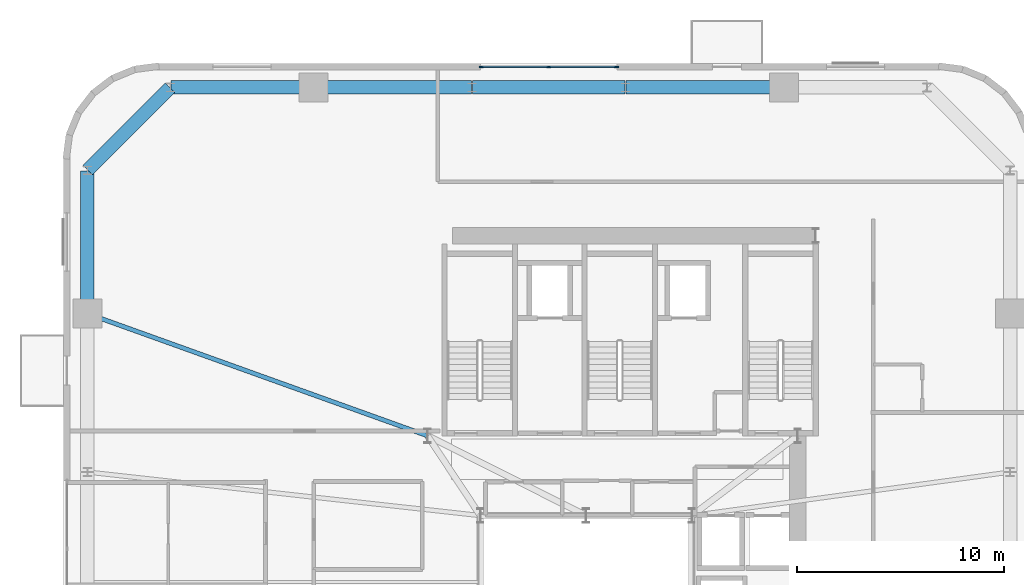
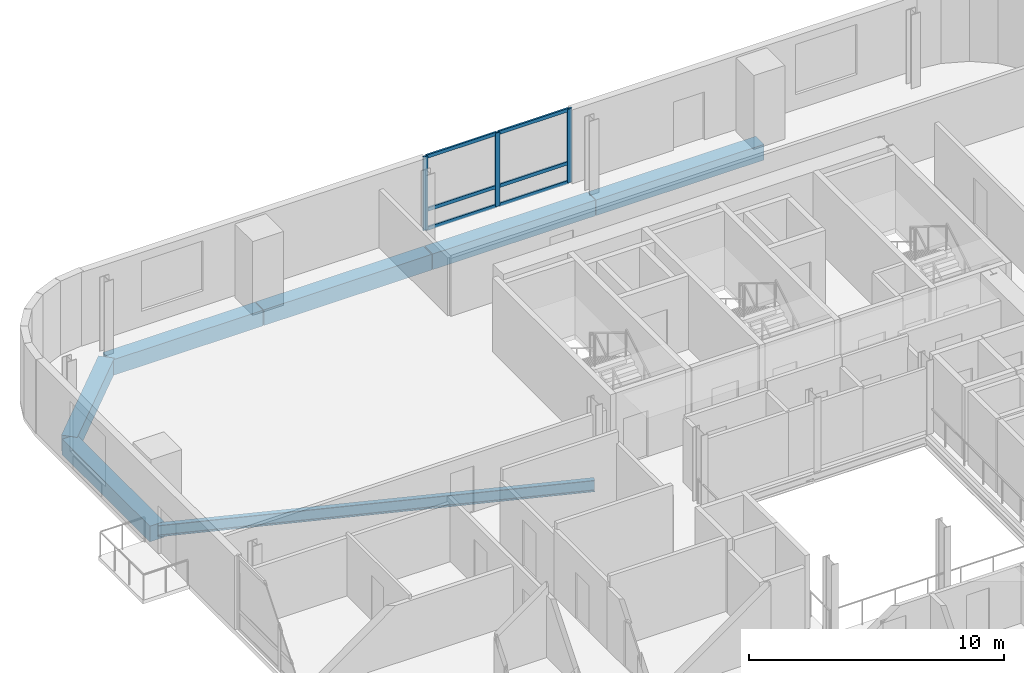
# One storey, part 6 of 17: 9 members, 7 beams, 1 element without a shape of its own.
"""IFC4 building model written with IfcOpenShell, lengths in metres."""

from ifc_helpers import new_model, si_unit, direction, frame, origin, origin_2d, place, context, subcontext, project, spatial, rectangle, i_section, extrude, source, transform, mapped, material, material_profile, profile_set, type_object, element, aggregate, save


model = new_model("IFC4")

# Units and contexts
model_context = context("Model", 3, precision=1e-05, world=origin(), true_north=direction((0.0, 1.0)))
body_context = subcontext(model_context, "Body", "Model", "MODEL_VIEW")
ifc_project = project(units=[si_unit("LENGTHUNIT", "METRE"), si_unit("AREAUNIT", "SQUARE_METRE"), si_unit("VOLUMEUNIT", "CUBIC_METRE"), si_unit("PLANEANGLEUNIT", "RADIAN"), si_unit("MASSUNIT", "GRAM", prefix="KILO")], contexts=[model_context])

# Site, building, storey
site_placement = place(None, origin())
site = spatial("IfcSite", under=ifc_project, at=site_placement, CompositionType="ELEMENT")
building_placement = place(site_placement, origin())
building = spatial("IfcBuilding", under=site, at=building_placement, Name="Vardaveli Station Tower", CompositionType="ELEMENT")
storey_placement = place(building_placement, frame((0.0, 0.0, 218.550048828125)))
storey = spatial("IfcBuildingStorey", under=building, at=storey_placement, Name="L56", CompositionType="ELEMENT", Elevation=218.550048828125)

# Beams
ifc_material_1 = material(Name="Precast concrete C45/55", Category="concrete")
ifc_material_profile_1 = material_profile(ifc_material_1, rectangle(XDim=0.64990234375, YDim=0.75, at=origin_2d()), Name="LPB 650x750")
ifc_profile_set_1 = profile_set([ifc_material_profile_1], Name="Precast concrete C45/55")
beam_type_1 = type_object("IfcBeamType", Name="BM-LPB-750", PredefinedType="BEAM", material=ifc_profile_set_1)
shared_shape_1 = source(origin(), body_context, "Body", "SweptSolid", [
    extrude(rectangle(XDim=0.64990234375, YDim=0.75, at=origin_2d()), origin(), (0.0, 0.0, 1.0), 7.60009765625),
])
for number, where, z_axis, x_axis, name in (
    (1, (45.820068359375, 47.449951171875, -0.594970703125), (-1.0, 0.0, 0.0), (0.0, -1.0, 0.0), "RBM-L56-13"),
    (2, (30.780029296875, 47.449951171875, -0.594970703125), (-1.0, 0.0, 0.0), (0.0, -1.0, 0.0), "RBM-L56-15"),
):
    element("IfcBeam", number, at=place(storey_placement, frame(where, z_axis=z_axis, x_axis=x_axis)), inside=storey, type_object=beam_type_1, Name=name, PredefinedType="BEAM", context=body_context, shape_type="MappedRepresentation", body=[
        mapped(shared_shape_1, transform((0.0, 0.0, 0.0), scale=1.0)),
    ])
shared_shape_2 = source(origin(), body_context, "Body", "SweptSolid", [
    extrude(rectangle(XDim=0.64990234375, YDim=0.75, at=origin_2d()), origin(), (0.0, 0.0, 1.0), 7.35986328125),
])
beam_1_placement = place(storey_placement, frame((38.179931640625, 47.449951171875, -0.594970703125), z_axis=(-1.0, 0.0, 0.0), x_axis=(0.0, -1.0, 0.0)))
element("IfcBeam", 3, at=beam_1_placement, inside=storey, type_object=beam_type_1, Name="RBM-L56-14", PredefinedType="BEAM", context=body_context, shape_type="MappedRepresentation", body=[
    mapped(shared_shape_2, transform((0.0, 0.0, 0.0), scale=1.0)),
])
shared_shape_3 = source(origin(), body_context, "Body", "SweptSolid", [
    extrude(rectangle(XDim=0.64990234375, YDim=0.75, at=origin_2d()), origin(), (0.0, 0.0, 1.0), 6.869873046875),
])
for number, where, z_axis, x_axis, name in (
    (4, (23.139892578125, 47.449951171875, -0.594970703125), (-1.0, 0.0, 0.0), (0.0, -1.0, 0.0), "RBM-L56-16"),
    (5, (12.25, 43.429931640625, -0.594970703125), (0.0, -1.0, 0.0), (1.0, 0.0, 0.0), "RBM-L56-18"),
):
    element("IfcBeam", number, at=place(storey_placement, frame(where, z_axis=z_axis, x_axis=x_axis)), inside=storey, type_object=beam_type_1, Name=name, PredefinedType="BEAM", context=body_context, shape_type="MappedRepresentation", body=[
        mapped(shared_shape_3, transform((0.0, 0.0, 0.0), scale=1.0)),
    ])
shared_shape_4 = source(origin(), body_context, "Body", "SweptSolid", [
    extrude(rectangle(XDim=0.64990234375, YDim=0.75, at=origin_2d()), origin(), (0.0, 0.0, 1.0), 5.61669921875),
])
beam_2_placement = place(storey_placement, frame((16.23583984375, 47.435791015625, -0.594970703125), z_axis=(-0.707106781187, -0.707106781187, 0.0), x_axis=(0.707106781187, -0.707106781187, 0.0)))
element("IfcBeam", 6, at=beam_2_placement, inside=storey, type_object=beam_type_1, Name="RBM-L56-17", PredefinedType="BEAM", context=body_context, shape_type="MappedRepresentation", body=[
    mapped(shared_shape_4, transform((0.0, 0.0, 0.0), scale=1.0)),
])
ifc_material_2 = material(Name="Structural steel S355J2", Category="steel")
ifc_material_profile_2 = material_profile(ifc_material_2, i_section(OverallWidth=0.2099609375, OverallDepth=0.550048828125, WebThickness=0.010986328125, FlangeThickness=0.01708984375, FilletRadius=0.02392578125, at=origin_2d()), Name="IPE 550")
ifc_profile_set_2 = profile_set([ifc_material_profile_2], Name="Structural steel S355J2")
beam_type_2 = type_object("IfcBeamType", Name="BM-IPE550", PredefinedType="BEAM", material=ifc_profile_set_2)
shared_shape_5 = source(origin(), body_context, "Body", "SweptSolid", [
    extrude(i_section(OverallWidth=0.2099609375, OverallDepth=0.550048828125, WebThickness=0.010986328125, FlangeThickness=0.01708984375, FilletRadius=0.02392578125, at=origin_2d()), origin(), (0.0, 0.0, 1.0), 17.385498046875),
])
beam_3_placement = place(storey_placement, frame((12.268798828125, 36.533203125, -0.4951171875), z_axis=(0.941143134401, -0.338008284766, 0.0), x_axis=(0.338008284766, 0.941143134401, 0.0)))
element("IfcBeam", 7, at=beam_3_placement, inside=storey, type_object=beam_type_2, Name="GBM-L56-12", PredefinedType="BEAM", context=body_context, shape_type="MappedRepresentation", body=[
    mapped(shared_shape_5, transform((0.0, 0.0, 0.0), scale=1.0)),
])

# Curtain wall, members
ifc_material_3 = material(Name="Travertine stone and solar-control glass", Category="masonry")
curtain_wall_type = type_object("IfcCurtainWallType", Name="CW-SYS-5", PredefinedType="NOTDEFINED", material=ifc_material_3)
curtain_wall_placement = place(storey_placement, origin())
curtain_wall = element("IfcCurtainWall", 8, at=curtain_wall_placement, inside=storey, type_object=curtain_wall_type, Name="CW-L56-N", PredefinedType="NOTDEFINED")
ifc_material_4 = material(Name="Anodised aluminium alloy 6063-T6", Category="aluminium")
ifc_material_profile_3 = material_profile(ifc_material_4, rectangle(XDim=0.080078125, YDim=0.1650390625, at=origin_2d()), Name="CWT 80x165")
ifc_profile_set_3 = profile_set([ifc_material_profile_3], Name="Anodised aluminium alloy 6063-T6")
member_type_1 = type_object("IfcMemberType", Name="CW-SYS-5-TRAN", PredefinedType="NOTDEFINED", material=ifc_profile_set_3)
shared_shape_6 = source(origin(), body_context, "Body", "SweptSolid", [
    extrude(rectangle(XDim=0.080078125, YDim=0.1650390625, at=origin_2d()), origin(), (0.0, 0.0, 1.0), 3.179931640625),
])
member_1_placement = place(storey_placement, frame((37.719970703125, 48.43994140625, 0.0400390625), z_axis=(-1.0, 0.0, 0.0), x_axis=(0.0, -1.0, 0.0)))
member_1 = element("IfcMember", 9, at=member_1_placement, type_object=member_type_1, Name="CW-5 transom 1.1", ObjectType="TRANSOM", PredefinedType="USERDEFINED", context=body_context, shape_type="MappedRepresentation", body=[
    mapped(shared_shape_6, transform((0.0, 0.0, 0.0), scale=1.0)),
])
member_2_placement = place(storey_placement, frame((37.719970703125, 48.43994140625, 0.949951171875), z_axis=(-1.0, 0.0, 0.0), x_axis=(0.0, -1.0, 0.0)))
member_2 = element("IfcMember", 10, at=member_2_placement, type_object=member_type_1, Name="CW-5 transom 1.2", ObjectType="TRANSOM", PredefinedType="USERDEFINED", context=body_context, shape_type="MappedRepresentation", body=[
    mapped(shared_shape_6, transform((0.0, 0.0, 0.0), scale=1.0)),
])
member_3_placement = place(storey_placement, frame((37.719970703125, 48.43994140625, 3.489990234375), z_axis=(-1.0, 0.0, 0.0), x_axis=(0.0, -1.0, 0.0)))
member_3 = element("IfcMember", 11, at=member_3_placement, type_object=member_type_1, Name="CW-5 transom 1.3", ObjectType="TRANSOM", PredefinedType="USERDEFINED", context=body_context, shape_type="MappedRepresentation", body=[
    mapped(shared_shape_6, transform((0.0, 0.0, 0.0), scale=1.0)),
])
member_4_placement = place(storey_placement, frame((34.4599609375, 48.43994140625, 0.0400390625), z_axis=(-1.0, 0.0, 0.0), x_axis=(0.0, -1.0, 0.0)))
member_4 = element("IfcMember", 12, at=member_4_placement, type_object=member_type_1, Name="CW-5 transom 2.1", ObjectType="TRANSOM", PredefinedType="USERDEFINED", context=body_context, shape_type="MappedRepresentation", body=[
    mapped(shared_shape_6, transform((0.0, 0.0, 0.0), scale=1.0)),
])
member_5_placement = place(storey_placement, frame((34.4599609375, 48.43994140625, 0.949951171875), z_axis=(-1.0, 0.0, 0.0), x_axis=(0.0, -1.0, 0.0)))
member_5 = element("IfcMember", 13, at=member_5_placement, type_object=member_type_1, Name="CW-5 transom 2.2", ObjectType="TRANSOM", PredefinedType="USERDEFINED", context=body_context, shape_type="MappedRepresentation", body=[
    mapped(shared_shape_6, transform((0.0, 0.0, 0.0), scale=1.0)),
])
member_6_placement = place(storey_placement, frame((34.4599609375, 48.43994140625, 3.489990234375), z_axis=(-1.0, 0.0, 0.0), x_axis=(0.0, -1.0, 0.0)))
member_6 = element("IfcMember", 14, at=member_6_placement, type_object=member_type_1, Name="CW-5 transom 2.3", ObjectType="TRANSOM", PredefinedType="USERDEFINED", context=body_context, shape_type="MappedRepresentation", body=[
    mapped(shared_shape_6, transform((0.0, 0.0, 0.0), scale=1.0)),
])
ifc_material_profile_4 = material_profile(ifc_material_4, rectangle(XDim=0.080078125, YDim=0.205078125, at=origin_2d()), Name="CWM 80x205")
ifc_profile_set_4 = profile_set([ifc_material_profile_4], Name="Anodised aluminium alloy 6063-T6")
member_type_2 = type_object("IfcMemberType", Name="CW-SYS-5-MULL", PredefinedType="MULLION", material=ifc_profile_set_4)
shared_shape_7 = source(origin(), body_context, "Body", "SweptSolid", [
    extrude(rectangle(XDim=0.080078125, YDim=0.205078125, at=origin_2d()), origin(), (0.0, 0.0, 1.0), 3.530029296875),
])
member_7_placement = place(storey_placement, frame((37.760009765625, 48.43994140625, 0.0), z_axis=(0.0, 0.0, 1.0), x_axis=(0.0, -1.0, 0.0)))
member_7 = element("IfcMember", 15, at=member_7_placement, type_object=member_type_2, Name="CW-5 mullion 1", PredefinedType="MULLION", context=body_context, shape_type="MappedRepresentation", body=[
    mapped(shared_shape_7, transform((0.0, 0.0, 0.0), scale=1.0)),
])
member_8_placement = place(storey_placement, frame((34.5, 48.43994140625, 0.0), z_axis=(0.0, 0.0, 1.0), x_axis=(0.0, -1.0, 0.0)))
member_8 = element("IfcMember", 16, at=member_8_placement, type_object=member_type_2, Name="CW-5 mullion 2", PredefinedType="MULLION", context=body_context, shape_type="MappedRepresentation", body=[
    mapped(shared_shape_7, transform((0.0, 0.0, 0.0), scale=1.0)),
])
member_9_placement = place(storey_placement, frame((31.239990234375, 48.43994140625, 0.0), z_axis=(0.0, 0.0, 1.0), x_axis=(0.0, -1.0, 0.0)))
member_9 = element("IfcMember", 17, at=member_9_placement, type_object=member_type_2, Name="CW-5 mullion 3", PredefinedType="MULLION", context=body_context, shape_type="MappedRepresentation", body=[
    mapped(shared_shape_7, transform((0.0, 0.0, 0.0), scale=1.0)),
])
aggregate(curtain_wall, [member_7, member_8, member_9, member_1, member_2, member_3, member_4, member_5, member_6])

save(model, "model.ifc")
